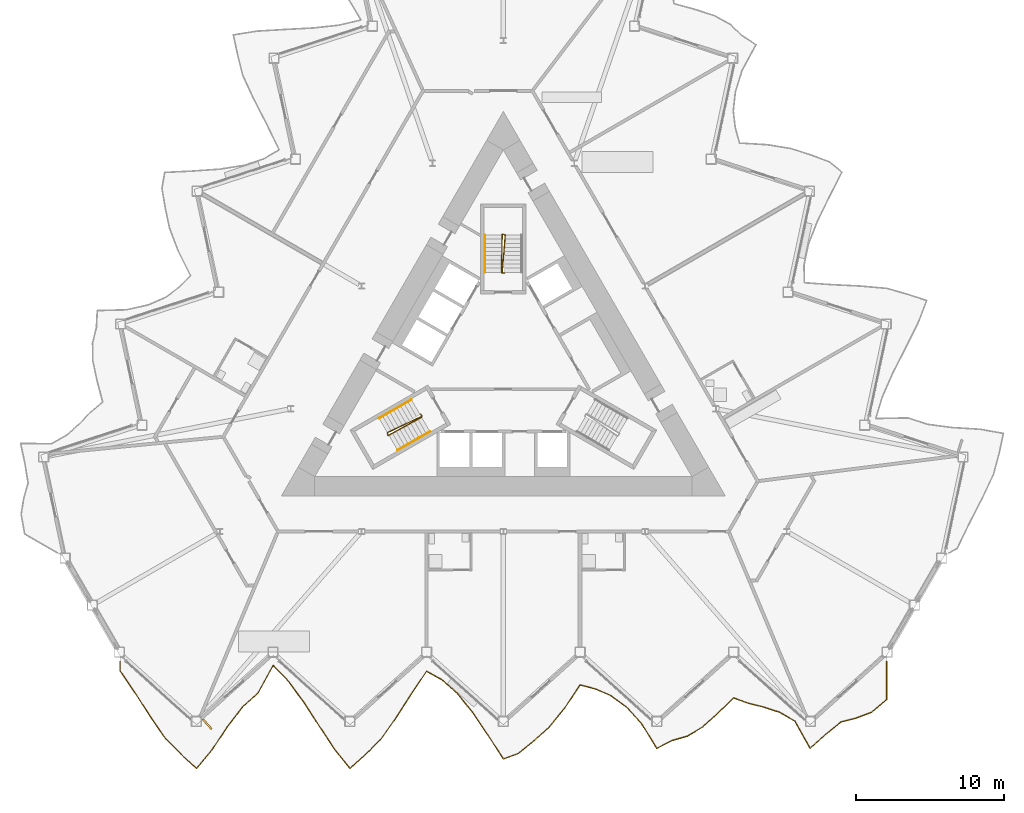
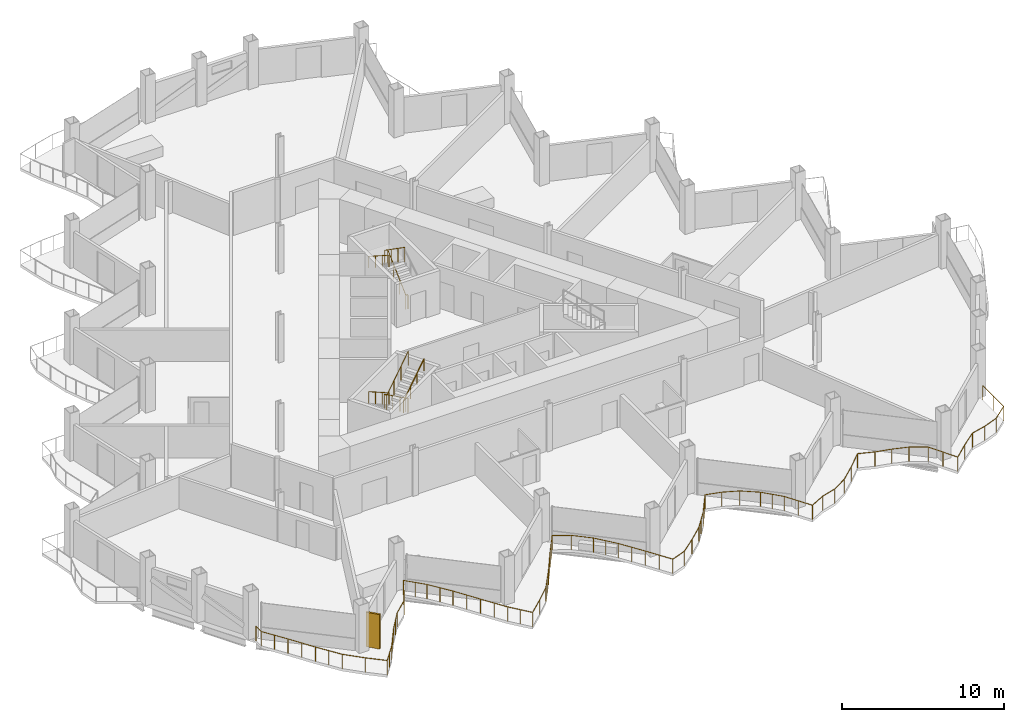
# One storey, part 19 of 23: 6 railings, 1 shading device.
"""IFC4 building model written with IfcOpenShell, lengths in metres."""

from ifc_helpers import new_model, si_unit, direction, frame, origin, origin_2d, place, context, subcontext, project, spatial, rectangle, circle, extrude, material, layer, layer_set, type_object, element, save


model = new_model("IFC4")

# Units and contexts
model_context = context("Model", 3, precision=1e-05, world=origin(), true_north=direction((0.0, 1.0)))
body_context = subcontext(model_context, "Body", "Model", "MODEL_VIEW")
ifc_project = project(units=[si_unit("LENGTHUNIT", "METRE"), si_unit("AREAUNIT", "SQUARE_METRE"), si_unit("VOLUMEUNIT", "CUBIC_METRE"), si_unit("PLANEANGLEUNIT", "RADIAN"), si_unit("MASSUNIT", "GRAM", prefix="KILO")], contexts=[model_context])

# Site, building, storey
site_placement = place(None, origin())
site = spatial("IfcSite", under=ifc_project, at=site_placement, CompositionType="ELEMENT")
building_placement = place(site_placement, origin())
building = spatial("IfcBuilding", under=site, at=building_placement, Name="Cormorant Prow Tower", CompositionType="ELEMENT")
storey_placement = place(building_placement, frame((0.0, 0.0, 263.39990234375)))
storey = spatial("IfcBuildingStorey", under=building, at=storey_placement, Name="L59", CompositionType="ELEMENT", Elevation=263.39990234375)

# Railings
ifc_material_1 = material(Name="Aluminium 6063-T6", Category="aluminium")
railing_type_1 = type_object("IfcRailingType", Name="Balcony guard 1100", PredefinedType="GUARDRAIL", material=ifc_material_1)
railing_1_placement = place(storey_placement, frame((-25.913330078125, -19.836181640625, 0.0)))
element("IfcRailing", 1, at=railing_1_placement, inside=storey, type_object=railing_type_1, Name="Balcony guard S", PredefinedType="GUARDRAIL", context=body_context, shape_type="SweptSolid", body=[
    extrude(circle(Radius=0.02392578125, at=origin_2d()), frame((0.0, 0.0, 1.076171875), z_axis=(0.0, -1.0, 0.0), x_axis=(1.0, 0.0, 0.0)), (0.0, 0.0, 1.0), 0.63623046875),
    extrude(circle(Radius=0.02392578125, at=origin_2d()), frame((0.0, -0.63623046875, 1.076171875), z_axis=(0.562686939233, -0.826670072288, 0.0), x_axis=(0.826670072288, 0.562686939233, 0.0)), (0.0, 0.0, 1.0), 1.84228515625),
    extrude(circle(Radius=0.02392578125, at=origin_2d()), frame((1.03662109375, -2.1591796875, 1.076171875), z_axis=(0.541531067199, -0.840680738008, 0.0), x_axis=(0.840680738008, 0.541531067199, 0.0)), (0.0, 0.0, 1.0), 1.913818359375),
    extrude(circle(Radius=0.02392578125, at=origin_2d()), frame((2.072998046875, -3.76806640625, 1.076171875), z_axis=(0.569154214885, -0.822230794655, 0.0), x_axis=(0.822230794655, 0.569154214885, 0.0)), (0.0, 0.0, 1.0), 1.8212890625),
    extrude(circle(Radius=0.02392578125, at=origin_2d()), frame((3.109619140625, -5.265625, 1.076171875), z_axis=(0.706773790057, -0.707439615578, 0.0), x_axis=(0.707439615578, 0.706773790057, 0.0)), (0.0, 0.0, 1.0), 1.466796875),
    extrude(circle(Radius=0.02392578125, at=origin_2d()), frame((4.146240234375, -6.30322265625, 1.076171875), z_axis=(0.743076506479, -0.669206474504, 0.0), x_axis=(0.669206474504, 0.743076506479, 0.0)), (0.0, 0.0, 1.0), 1.394775390625),
    extrude(circle(Radius=0.02392578125, at=origin_2d()), frame((5.1826171875, -7.236572265625, 1.076171875), z_axis=(0.642577870707, 0.766220386102, 0.0), x_axis=(-0.766220386102, 0.642577870707, 0.0)), (0.0, 0.0, 1.0), 1.61328125),
    extrude(circle(Radius=0.02392578125, at=origin_2d()), frame((6.21923828125, -6.00048828125, 1.076171875), z_axis=(0.552265995269, 0.833667961763, 0.0), x_axis=(-0.833667961763, 0.552265995269, 0.0)), (0.0, 0.0, 1.0), 1.876708984375),
    extrude(circle(Radius=0.02392578125, at=origin_2d()), frame((7.255615234375, -4.43603515625, 1.076171875), z_axis=(0.609211397349, 0.793007864614, 0.0), x_axis=(-0.793007864614, 0.609211397349, 0.0)), (0.0, 0.0, 1.0), 1.70166015625),
    extrude(circle(Radius=0.02392578125, at=origin_2d()), frame((8.292236328125, -3.086669921875, 1.076171875), z_axis=(0.743076506479, 0.669206474504, 0.0), x_axis=(-0.669206474504, 0.743076506479, 0.0)), (0.0, 0.0, 1.0), 1.394775390625),
    extrude(circle(Radius=0.02392578125, at=origin_2d()), frame((9.32861328125, -2.1533203125, 1.076171875), z_axis=(0.482302423528, 0.876004778674, 0.0), x_axis=(-0.876004778674, 0.482302423528, 0.0)), (0.0, 0.0, 1.0), 2.1494140625),
    extrude(circle(Radius=0.02392578125, at=origin_2d()), frame((10.365234375, -0.2705078125, 1.076171875), z_axis=(0.684911721524, -0.728626058908, 0.0), x_axis=(0.728626058908, 0.684911721524, 0.0)), (0.0, 0.0, 1.0), 1.513427734375),
    extrude(circle(Radius=0.02392578125, at=origin_2d()), frame((11.40185546875, -1.373291015625, 1.076171875), z_axis=(0.589814520171, -0.807538749408, 0.0), x_axis=(0.807538749408, 0.589814520171, 0.0)), (0.0, 0.0, 1.0), 1.757080078125),
    extrude(circle(Radius=0.02392578125, at=origin_2d()), frame((12.438232421875, -2.792236328125, 1.076171875), z_axis=(0.545475940819, -0.838126480901, 0.0), x_axis=(0.838126480901, 0.545475940819, 0.0)), (0.0, 0.0, 1.0), 1.900390625),
    extrude(circle(Radius=0.02392578125, at=origin_2d()), frame((13.474853515625, -4.385009765625, 1.076171875), z_axis=(0.550087543381, -0.83510699591, 0.0), x_axis=(0.83510699591, 0.550087543381, 0.0)), (0.0, 0.0, 1.0), 1.884521484375),
    extrude(circle(Radius=0.02392578125, at=origin_2d()), frame((14.511474609375, -5.958740234375, 1.076171875), z_axis=(0.629910840511, -0.776667453294, 0.0), x_axis=(0.776667453294, 0.629910840511, 0.0)), (0.0, 0.0, 1.0), 1.645263671875),
    extrude(circle(Radius=0.02392578125, at=origin_2d()), frame((15.5478515625, -7.236572265625, 1.076171875), z_axis=(0.743154883973, 0.669119435099, 0.0), x_axis=(-0.669119435099, 0.743154883973, 0.0)), (0.0, 0.0, 1.0), 1.394775390625),
    extrude(circle(Radius=0.02392578125, at=origin_2d()), frame((16.58447265625, -6.30322265625, 1.076171875), z_axis=(0.717928560111, 0.69611678803, 0.0), x_axis=(-0.69611678803, 0.717928560111, 0.0)), (0.0, 0.0, 1.0), 1.44384765625),
    extrude(circle(Radius=0.02392578125, at=origin_2d()), frame((17.62109375, -5.298095703125, 1.076171875), z_axis=(0.573253920579, 0.819377777671, 0.0), x_axis=(-0.819377777671, 0.573253920579, 0.0)), (0.0, 0.0, 1.0), 1.808349609375),
    extrude(circle(Radius=0.02392578125, at=origin_2d()), frame((18.65771484375, -3.81640625, 1.076171875), z_axis=(0.541879703733, 0.840456058746, 0.0), x_axis=(-0.840456058746, 0.541879703733, 0.0)), (0.0, 0.0, 1.0), 1.91259765625),
    extrude(circle(Radius=0.02392578125, at=origin_2d()), frame((19.694091796875, -2.208984375, 1.076171875), z_axis=(0.559434385603, 0.82887463962, 0.0), x_axis=(-0.82887463962, 0.559434385603, 0.0)), (0.0, 0.0, 1.0), 1.85302734375),
    extrude(circle(Radius=0.02392578125, at=origin_2d()), frame((20.730712890625, -0.673095703125, 1.076171875), z_axis=(0.873185490009, -0.487388038465, 0.0), x_axis=(0.487388038465, 0.873185490009, 0.0)), (0.0, 0.0, 1.0), 1.187255859375),
    extrude(circle(Radius=0.02392578125, at=origin_2d()), frame((21.767333984375, -1.251708984375, 1.076171875), z_axis=(0.744295916099, -0.667849975128, 0.0), x_axis=(0.667849975128, 0.744295916099, 0.0)), (0.0, 0.0, 1.0), 1.392333984375),
    extrude(circle(Radius=0.02392578125, at=origin_2d()), frame((22.8037109375, -2.181640625, 1.076171875), z_axis=(0.628550718295, -0.777768599605, 0.0), x_axis=(0.777768599605, 0.628550718295, 0.0)), (0.0, 0.0, 1.0), 1.649169921875),
    extrude(circle(Radius=0.02392578125, at=origin_2d()), frame((23.84033203125, -3.46435546875, 1.076171875), z_axis=(0.560016516668, -0.828481442797, 0.0), x_axis=(0.828481442797, 0.560016516668, 0.0)), (0.0, 0.0, 1.0), 1.8505859375),
    extrude(circle(Radius=0.02392578125, at=origin_2d()), frame((24.876708984375, -4.99755859375, 1.076171875), z_axis=(0.54191173054, -0.840435408763, 0.0), x_axis=(0.840435408763, 0.54191173054, 0.0)), (0.0, 0.0, 1.0), 1.912841796875),
    extrude(circle(Radius=0.02392578125, at=origin_2d()), frame((25.913330078125, -6.605224609375, 1.076171875), z_axis=(0.938580659023, 0.345059917272, 0.0), x_axis=(-0.345059917272, 0.938580659023, 0.0)), (0.0, 0.0, 1.0), 1.1044921875),
    extrude(circle(Radius=0.02392578125, at=origin_2d()), frame((26.949951171875, -6.22412109375, 1.076171875), z_axis=(0.771741279399, 0.635936630233, 0.0), x_axis=(-0.635936630233, 0.771741279399, 0.0)), (0.0, 0.0, 1.0), 1.343017578125),
    extrude(circle(Radius=0.02392578125, at=origin_2d()), frame((27.986328125, -5.3701171875, 1.076171875), z_axis=(0.743154883973, 0.669119435099, 0.0), x_axis=(-0.669119435099, 0.743154883973, 0.0)), (0.0, 0.0, 1.0), 1.394775390625),
    extrude(circle(Radius=0.02392578125, at=origin_2d()), frame((29.02294921875, -4.436767578125, 1.076171875), z_axis=(0.632750644133, 0.774355617497, 0.0), x_axis=(-0.774355617497, 0.632750644133, 0.0)), (0.0, 0.0, 1.0), 1.637939453125),
    extrude(circle(Radius=0.02392578125, at=origin_2d()), frame((30.059326171875, -3.16845703125, 1.076171875), z_axis=(0.550563985449, 0.834792967104, 0.0), x_axis=(-0.834792967104, 0.550563985449, 0.0)), (0.0, 0.0, 1.0), 1.8828125),
    extrude(circle(Radius=0.02392578125, at=origin_2d()), frame((31.095947265625, -1.5966796875, 1.076171875), z_axis=(0.967151206586, -0.254201777332, 0.0), x_axis=(0.254201777332, 0.967151206586, 0.0)), (0.0, 0.0, 1.0), 1.07177734375),
    extrude(circle(Radius=0.02392578125, at=origin_2d()), frame((32.132568359375, -1.869140625, 1.076171875), z_axis=(0.919402494626, -0.393318004768, 0.0), x_axis=(0.393318004768, 0.919402494626, 0.0)), (0.0, 0.0, 1.0), 1.127197265625),
    extrude(circle(Radius=0.02392578125, at=origin_2d()), frame((33.1689453125, -2.3125, 1.076171875), z_axis=(0.807377186251, -0.590035659194, 0.0), x_axis=(0.590035659194, 0.807377186251, 0.0)), (0.0, 0.0, 1.0), 1.283935546875),
    extrude(circle(Radius=0.02392578125, at=origin_2d()), frame((34.20556640625, -3.070068359375, 1.076171875), z_axis=(0.678107623012, -0.734962619195, 0.0), x_axis=(0.734962619195, 0.678107623012, 0.0)), (0.0, 0.0, 1.0), 1.52880859375),
    extrude(circle(Radius=0.02392578125, at=origin_2d()), frame((35.2421875, -4.193603515625, 1.076171875), z_axis=(0.522161161507, -0.852846833502, 0.0), x_axis=(0.852846833502, 0.522161161507, 0.0)), (0.0, 0.0, 1.0), 1.9853515625),
    extrude(circle(Radius=0.02392578125, at=origin_2d()), frame((36.27880859375, -5.88671875, 1.076171875), z_axis=(0.890661309048, 0.454667386739, 0.0), x_axis=(-0.454667386739, 0.890661309048, 0.0)), (0.0, 0.0, 1.0), 1.16357421875),
    extrude(circle(Radius=0.02392578125, at=origin_2d()), frame((37.315185546875, -5.357666015625, 1.076171875), z_axis=(0.96057062461, 0.278036104015, 0.0), x_axis=(-0.278036104015, 0.96057062461, 0.0)), (0.0, 0.0, 1.0), 1.0791015625),
    extrude(circle(Radius=0.02392578125, at=origin_2d()), frame((38.351806640625, -5.0576171875, 1.076171875), z_axis=(0.857902695264, 0.513812188897, 0.0), x_axis=(-0.513812188897, 0.857902695264, 0.0)), (0.0, 0.0, 1.0), 1.208251953125),
    extrude(circle(Radius=0.02392578125, at=origin_2d()), frame((39.388427734375, -4.436767578125, 1.076171875), z_axis=(0.743076506479, 0.669206474504, 0.0), x_axis=(-0.669206474504, 0.743076506479, 0.0)), (0.0, 0.0, 1.0), 1.394775390625),
    extrude(circle(Radius=0.02392578125, at=origin_2d()), frame((40.4248046875, -3.50341796875, 1.076171875), z_axis=(0.709275037623, 0.704931855575, 0.0), x_axis=(-0.704931855575, 0.709275037623, 0.0)), (0.0, 0.0, 1.0), 1.46142578125),
    extrude(circle(Radius=0.02392578125, at=origin_2d()), frame((41.46142578125, -2.47314453125, 1.076171875), z_axis=(0.940997544156, -0.338413389055, 0.0), x_axis=(0.338413389055, 0.940997544156, 0.0)), (0.0, 0.0, 1.0), 1.1015625),
    extrude(circle(Radius=0.02392578125, at=origin_2d()), frame((42.498046875, -2.845947265625, 1.076171875), z_axis=(0.970424235794, -0.241405887632, 0.0), x_axis=(0.241405887632, 0.970424235794, 0.0)), (0.0, 0.0, 1.0), 1.06787109375),
    extrude(circle(Radius=0.02392578125, at=origin_2d()), frame((43.534423828125, -3.103759765625, 1.076171875), z_axis=(0.950039332084, -0.312130209198, 0.0), x_axis=(0.312130209198, 0.950039332084, 0.0)), (0.0, 0.0, 1.0), 1.091064453125),
    extrude(circle(Radius=0.02392578125, at=origin_2d()), frame((44.571044921875, -3.4443359375, 1.076171875), z_axis=(0.866542200502, -0.499103811596, 0.0), x_axis=(0.499103811596, 0.866542200502, 0.0)), (0.0, 0.0, 1.0), 1.196044921875),
    extrude(circle(Radius=0.02392578125, at=origin_2d()), frame((45.607421875, -4.041259765625, 1.076171875), z_axis=(0.489740916675, -0.8718680144, 0.0), x_axis=(0.8718680144, 0.489740916675, 0.0)), (0.0, 0.0, 1.0), 2.11669921875),
    extrude(circle(Radius=0.02392578125, at=origin_2d()), frame((46.64404296875, -5.88671875, 1.076171875), z_axis=(0.743076506479, 0.669206474504, 0.0), x_axis=(-0.669206474504, 0.743076506479, 0.0)), (0.0, 0.0, 1.0), 1.394775390625),
    extrude(circle(Radius=0.02392578125, at=origin_2d()), frame((47.680419921875, -4.953369140625, 1.076171875), z_axis=(0.773153498157, 0.634218943495, 0.0), x_axis=(-0.634218943495, 0.773153498157, 0.0)), (0.0, 0.0, 1.0), 1.3408203125),
    extrude(circle(Radius=0.02392578125, at=origin_2d()), frame((48.717041015625, -4.10302734375, 1.076171875), z_axis=(0.96984618493, 0.243717823674, 0.0), x_axis=(-0.243717823674, 0.96984618493, 0.0)), (0.0, 0.0, 1.0), 1.06884765625),
    extrude(circle(Radius=0.02392578125, at=origin_2d()), frame((49.753662109375, -3.842529296875, 1.076171875), z_axis=(0.934790892497, 0.355198518162, 0.0), x_axis=(-0.355198518162, 0.934790892497, 0.0)), (0.0, 0.0, 1.0), 1.108642578125),
    extrude(circle(Radius=0.02392578125, at=origin_2d()), frame((50.7900390625, -3.44873046875, 1.076171875), z_axis=(0.76283401847, 0.646594355269, 0.0), x_axis=(-0.646594355269, 0.76283401847, 0.0)), (0.0, 0.0, 1.0), 1.35888671875),
    extrude(circle(Radius=0.02392578125, at=origin_2d()), frame((51.82666015625, -2.570068359375, 1.076171875), z_axis=(0.0, 1.0, 0.0), x_axis=(-1.0, 0.0, 0.0)), (0.0, 0.0, 1.0), 2.570068359375),
    extrude(circle(Radius=0.02099609375, at=origin_2d()), origin(), (0.0, 0.0, 1.0), 1.052001953125),
    extrude(circle(Radius=0.02099609375, at=origin_2d()), frame((0.0, -0.63623046875, 0.0)), (0.0, 0.0, 1.0), 1.052001953125),
    extrude(circle(Radius=0.02099609375, at=origin_2d()), frame((0.518310546875, -1.397705078125, 0.0)), (0.0, 0.0, 1.0), 1.052001953125),
    extrude(circle(Radius=0.02099609375, at=origin_2d()), frame((1.03662109375, -2.1591796875, 0.0)), (0.0, 0.0, 1.0), 1.052001953125),
    extrude(circle(Radius=0.02099609375, at=origin_2d()), frame((1.5546875, -2.963623046875, 0.0)), (0.0, 0.0, 1.0), 1.052001953125),
    extrude(circle(Radius=0.02099609375, at=origin_2d()), frame((2.072998046875, -3.76806640625, 0.0)), (0.0, 0.0, 1.0), 1.052001953125),
    extrude(circle(Radius=0.02099609375, at=origin_2d()), frame((2.59130859375, -4.516845703125, 0.0)), (0.0, 0.0, 1.0), 1.052001953125),
    extrude(circle(Radius=0.02099609375, at=origin_2d()), frame((3.109619140625, -5.265625, 0.0)), (0.0, 0.0, 1.0), 1.052001953125),
    extrude(circle(Radius=0.02099609375, at=origin_2d()), frame((4.146240234375, -6.30322265625, 0.0)), (0.0, 0.0, 1.0), 1.052001953125),
    extrude(circle(Radius=0.02099609375, at=origin_2d()), frame((5.1826171875, -7.236572265625, 0.0)), (0.0, 0.0, 1.0), 1.052001953125),
    extrude(circle(Radius=0.02099609375, at=origin_2d()), frame((5.700927734375, -6.61865234375, 0.0)), (0.0, 0.0, 1.0), 1.052001953125),
    extrude(circle(Radius=0.02099609375, at=origin_2d()), frame((6.21923828125, -6.00048828125, 0.0)), (0.0, 0.0, 1.0), 1.052001953125),
    extrude(circle(Radius=0.02099609375, at=origin_2d()), frame((6.7373046875, -5.21826171875, 0.0)), (0.0, 0.0, 1.0), 1.052001953125),
    extrude(circle(Radius=0.02099609375, at=origin_2d()), frame((7.255615234375, -4.43603515625, 0.0)), (0.0, 0.0, 1.0), 1.052001953125),
    extrude(circle(Radius=0.02099609375, at=origin_2d()), frame((7.77392578125, -3.76123046875, 0.0)), (0.0, 0.0, 1.0), 1.052001953125),
    extrude(circle(Radius=0.02099609375, at=origin_2d()), frame((8.292236328125, -3.086669921875, 0.0)), (0.0, 0.0, 1.0), 1.052001953125),
    extrude(circle(Radius=0.02099609375, at=origin_2d()), frame((9.32861328125, -2.1533203125, 0.0)), (0.0, 0.0, 1.0), 1.052001953125),
    extrude(circle(Radius=0.02099609375, at=origin_2d()), frame((9.846923828125, -1.2119140625, 0.0)), (0.0, 0.0, 1.0), 1.052001953125),
    extrude(circle(Radius=0.02099609375, at=origin_2d()), frame((10.365234375, -0.2705078125, 0.0)), (0.0, 0.0, 1.0), 1.052001953125),
    extrude(circle(Radius=0.02099609375, at=origin_2d()), frame((10.883544921875, -0.82177734375, 0.0)), (0.0, 0.0, 1.0), 1.052001953125),
    extrude(circle(Radius=0.02099609375, at=origin_2d()), frame((11.40185546875, -1.373291015625, 0.0)), (0.0, 0.0, 1.0), 1.052001953125),
    extrude(circle(Radius=0.02099609375, at=origin_2d()), frame((11.919921875, -2.082763671875, 0.0)), (0.0, 0.0, 1.0), 1.052001953125),
    extrude(circle(Radius=0.02099609375, at=origin_2d()), frame((12.438232421875, -2.792236328125, 0.0)), (0.0, 0.0, 1.0), 1.052001953125),
    extrude(circle(Radius=0.02099609375, at=origin_2d()), frame((12.95654296875, -3.588623046875, 0.0)), (0.0, 0.0, 1.0), 1.052001953125),
    extrude(circle(Radius=0.02099609375, at=origin_2d()), frame((13.474853515625, -4.385009765625, 0.0)), (0.0, 0.0, 1.0), 1.052001953125),
    extrude(circle(Radius=0.02099609375, at=origin_2d()), frame((13.9931640625, -5.171875, 0.0)), (0.0, 0.0, 1.0), 1.052001953125),
    extrude(circle(Radius=0.02099609375, at=origin_2d()), frame((14.511474609375, -5.958740234375, 0.0)), (0.0, 0.0, 1.0), 1.052001953125),
    extrude(circle(Radius=0.02099609375, at=origin_2d()), frame((15.02978515625, -6.59765625, 0.0)), (0.0, 0.0, 1.0), 1.052001953125),
    extrude(circle(Radius=0.02099609375, at=origin_2d()), frame((15.5478515625, -7.236572265625, 0.0)), (0.0, 0.0, 1.0), 1.052001953125),
    extrude(circle(Radius=0.02099609375, at=origin_2d()), frame((16.58447265625, -6.30322265625, 0.0)), (0.0, 0.0, 1.0), 1.052001953125),
    extrude(circle(Radius=0.02099609375, at=origin_2d()), frame((17.62109375, -5.298095703125, 0.0)), (0.0, 0.0, 1.0), 1.052001953125),
    extrude(circle(Radius=0.02099609375, at=origin_2d()), frame((18.139404296875, -4.55712890625, 0.0)), (0.0, 0.0, 1.0), 1.052001953125),
    extrude(circle(Radius=0.02099609375, at=origin_2d()), frame((18.65771484375, -3.81640625, 0.0)), (0.0, 0.0, 1.0), 1.052001953125),
    extrude(circle(Radius=0.02099609375, at=origin_2d()), frame((19.17578125, -3.0126953125, 0.0)), (0.0, 0.0, 1.0), 1.052001953125),
    extrude(circle(Radius=0.02099609375, at=origin_2d()), frame((19.694091796875, -2.208984375, 0.0)), (0.0, 0.0, 1.0), 1.052001953125),
    extrude(circle(Radius=0.02099609375, at=origin_2d()), frame((20.21240234375, -1.44091796875, 0.0)), (0.0, 0.0, 1.0), 1.052001953125),
    extrude(circle(Radius=0.02099609375, at=origin_2d()), frame((20.730712890625, -0.673095703125, 0.0)), (0.0, 0.0, 1.0), 1.052001953125),
    extrude(circle(Radius=0.02099609375, at=origin_2d()), frame((21.767333984375, -1.251708984375, 0.0)), (0.0, 0.0, 1.0), 1.052001953125),
    extrude(circle(Radius=0.02099609375, at=origin_2d()), frame((22.8037109375, -2.181640625, 0.0)), (0.0, 0.0, 1.0), 1.052001953125),
    extrude(circle(Radius=0.02099609375, at=origin_2d()), frame((23.322021484375, -2.822998046875, 0.0)), (0.0, 0.0, 1.0), 1.052001953125),
    extrude(circle(Radius=0.02099609375, at=origin_2d()), frame((23.84033203125, -3.46435546875, 0.0)), (0.0, 0.0, 1.0), 1.052001953125),
    extrude(circle(Radius=0.02099609375, at=origin_2d()), frame((24.3583984375, -4.23095703125, 0.0)), (0.0, 0.0, 1.0), 1.052001953125),
    extrude(circle(Radius=0.02099609375, at=origin_2d()), frame((24.876708984375, -4.99755859375, 0.0)), (0.0, 0.0, 1.0), 1.052001953125),
    extrude(circle(Radius=0.02099609375, at=origin_2d()), frame((25.39501953125, -5.80126953125, 0.0)), (0.0, 0.0, 1.0), 1.052001953125),
    extrude(circle(Radius=0.02099609375, at=origin_2d()), frame((25.913330078125, -6.605224609375, 0.0)), (0.0, 0.0, 1.0), 1.052001953125),
    extrude(circle(Radius=0.02099609375, at=origin_2d()), frame((26.949951171875, -6.22412109375, 0.0)), (0.0, 0.0, 1.0), 1.052001953125),
    extrude(circle(Radius=0.02099609375, at=origin_2d()), frame((27.986328125, -5.3701171875, 0.0)), (0.0, 0.0, 1.0), 1.052001953125),
    extrude(circle(Radius=0.02099609375, at=origin_2d()), frame((29.02294921875, -4.436767578125, 0.0)), (0.0, 0.0, 1.0), 1.052001953125),
    extrude(circle(Radius=0.02099609375, at=origin_2d()), frame((29.541015625, -3.802734375, 0.0)), (0.0, 0.0, 1.0), 1.052001953125),
    extrude(circle(Radius=0.02099609375, at=origin_2d()), frame((30.059326171875, -3.16845703125, 0.0)), (0.0, 0.0, 1.0), 1.052001953125),
    extrude(circle(Radius=0.02099609375, at=origin_2d()), frame((30.57763671875, -2.382568359375, 0.0)), (0.0, 0.0, 1.0), 1.052001953125),
    extrude(circle(Radius=0.02099609375, at=origin_2d()), frame((31.095947265625, -1.5966796875, 0.0)), (0.0, 0.0, 1.0), 1.052001953125),
    extrude(circle(Radius=0.02099609375, at=origin_2d()), frame((32.132568359375, -1.869140625, 0.0)), (0.0, 0.0, 1.0), 1.052001953125),
    extrude(circle(Radius=0.02099609375, at=origin_2d()), frame((33.1689453125, -2.3125, 0.0)), (0.0, 0.0, 1.0), 1.052001953125),
    extrude(circle(Radius=0.02099609375, at=origin_2d()), frame((34.20556640625, -3.070068359375, 0.0)), (0.0, 0.0, 1.0), 1.052001953125),
    extrude(circle(Radius=0.02099609375, at=origin_2d()), frame((34.723876953125, -3.6318359375, 0.0)), (0.0, 0.0, 1.0), 1.052001953125),
    extrude(circle(Radius=0.02099609375, at=origin_2d()), frame((35.2421875, -4.193603515625, 0.0)), (0.0, 0.0, 1.0), 1.052001953125),
    extrude(circle(Radius=0.02099609375, at=origin_2d()), frame((35.760498046875, -5.0400390625, 0.0)), (0.0, 0.0, 1.0), 1.052001953125),
    extrude(circle(Radius=0.02099609375, at=origin_2d()), frame((36.27880859375, -5.88671875, 0.0)), (0.0, 0.0, 1.0), 1.052001953125),
    extrude(circle(Radius=0.02099609375, at=origin_2d()), frame((37.315185546875, -5.357666015625, 0.0)), (0.0, 0.0, 1.0), 1.052001953125),
    extrude(circle(Radius=0.02099609375, at=origin_2d()), frame((38.351806640625, -5.0576171875, 0.0)), (0.0, 0.0, 1.0), 1.052001953125),
    extrude(circle(Radius=0.02099609375, at=origin_2d()), frame((39.388427734375, -4.436767578125, 0.0)), (0.0, 0.0, 1.0), 1.052001953125),
    extrude(circle(Radius=0.02099609375, at=origin_2d()), frame((40.4248046875, -3.50341796875, 0.0)), (0.0, 0.0, 1.0), 1.052001953125),
    extrude(circle(Radius=0.02099609375, at=origin_2d()), frame((41.46142578125, -2.47314453125, 0.0)), (0.0, 0.0, 1.0), 1.052001953125),
    extrude(circle(Radius=0.02099609375, at=origin_2d()), frame((42.498046875, -2.845947265625, 0.0)), (0.0, 0.0, 1.0), 1.052001953125),
    extrude(circle(Radius=0.02099609375, at=origin_2d()), frame((43.534423828125, -3.103759765625, 0.0)), (0.0, 0.0, 1.0), 1.052001953125),
    extrude(circle(Radius=0.02099609375, at=origin_2d()), frame((44.571044921875, -3.4443359375, 0.0)), (0.0, 0.0, 1.0), 1.052001953125),
    extrude(circle(Radius=0.02099609375, at=origin_2d()), frame((45.607421875, -4.041259765625, 0.0)), (0.0, 0.0, 1.0), 1.052001953125),
    extrude(circle(Radius=0.02099609375, at=origin_2d()), frame((46.125732421875, -4.9638671875, 0.0)), (0.0, 0.0, 1.0), 1.052001953125),
    extrude(circle(Radius=0.02099609375, at=origin_2d()), frame((46.64404296875, -5.88671875, 0.0)), (0.0, 0.0, 1.0), 1.052001953125),
    extrude(circle(Radius=0.02099609375, at=origin_2d()), frame((47.680419921875, -4.953369140625, 0.0)), (0.0, 0.0, 1.0), 1.052001953125),
    extrude(circle(Radius=0.02099609375, at=origin_2d()), frame((48.717041015625, -4.10302734375, 0.0)), (0.0, 0.0, 1.0), 1.052001953125),
    extrude(circle(Radius=0.02099609375, at=origin_2d()), frame((49.753662109375, -3.842529296875, 0.0)), (0.0, 0.0, 1.0), 1.052001953125),
    extrude(circle(Radius=0.02099609375, at=origin_2d()), frame((50.7900390625, -3.44873046875, 0.0)), (0.0, 0.0, 1.0), 1.052001953125),
    extrude(circle(Radius=0.02099609375, at=origin_2d()), frame((51.82666015625, -2.570068359375, 0.0)), (0.0, 0.0, 1.0), 1.052001953125),
    extrude(circle(Radius=0.02099609375, at=origin_2d()), frame((51.82666015625, -1.28515625, 0.0)), (0.0, 0.0, 1.0), 1.052001953125),
    extrude(circle(Radius=0.02099609375, at=origin_2d()), frame((51.82666015625, 0.0, 0.0)), (0.0, 0.0, 1.0), 1.052001953125),
])
ifc_material_2 = material(Name="Stainless steel", Category="steel")
railing_type_2 = type_object("IfcRailingType", Name="Stair guard 1100", PredefinedType="GUARDRAIL", material=ifc_material_2)
railing_2_placement = place(storey_placement, frame((-5.585205078125, -3.137939453125, 0.0)))
element("IfcRailing", 2, at=railing_2_placement, inside=storey, type_object=railing_type_2, Name="L59 ST1 stair guard 1", PredefinedType="GUARDRAIL", context=body_context, shape_type="SweptSolid", body=[
    extrude(circle(Radius=0.02392578125, at=origin_2d()), frame((0.0, 0.0, 1.076171875), z_axis=(0.501036270542, -0.865426285481, 0.0), x_axis=(0.865426285481, 0.501036270542, 0.0)), (0.0, 0.0, 1.0), 0.150146484375),
    extrude(circle(Radius=0.02392578125, at=origin_2d()), frame((0.0751953125, -0.1298828125, 1.076171875), z_axis=(-0.739707038506, -0.353624380995, 0.572523619033), x_axis=(0.431308035802, -0.902204731895, 0.0)), (0.0, 0.0, 1.0), 3.14404296875),
    extrude(circle(Radius=0.02392578125, at=origin_2d()), frame((-2.25048828125, -1.24169921875, 2.8759765625), z_axis=(0.274721127897, -0.961523947641, 0.0), x_axis=(0.961523947641, 0.274721127897, 0.0)), (0.0, 0.0, 1.0), 0.2060546875),
    extrude(circle(Radius=0.02392578125, at=origin_2d()), frame((-2.19384765625, -1.43994140625, 2.8759765625), z_axis=(0.717223475266, 0.39568267656, 0.573607623727), x_axis=(-0.483052234887, 0.87559153626, 0.0)), (0.0, 0.0, 1.0), 3.13818359375),
    extrude(circle(Radius=0.02099609375, at=origin_2d()), origin(), (0.0, 0.0, 1.0), 1.052001953125),
    extrude(circle(Radius=0.02099609375, at=origin_2d()), frame((0.0751953125, -0.1298828125, 0.0)), (0.0, 0.0, 1.0), 1.052001953125),
    extrude(circle(Radius=0.02099609375, at=origin_2d()), frame((-0.699951171875, -0.50048828125, 0.60009765625)), (0.0, 0.0, 1.0), 1.052001953125),
    extrude(circle(Radius=0.02099609375, at=origin_2d()), frame((-1.475341796875, -0.87109375, 1.199951171875)), (0.0, 0.0, 1.0), 1.052001953125),
    extrude(circle(Radius=0.02099609375, at=origin_2d()), frame((-2.25048828125, -1.24169921875, 1.800048828125)), (0.0, 0.0, 1.0), 1.052001953125),
    extrude(circle(Radius=0.02099609375, at=origin_2d()), frame((-2.19384765625, -1.43994140625, 1.800048828125)), (0.0, 0.0, 1.0), 1.052001953125),
    extrude(circle(Radius=0.02099609375, at=origin_2d()), frame((-1.443603515625, -1.026123046875, 2.400146484375)), (0.0, 0.0, 1.0), 1.052001953125),
    extrude(circle(Radius=0.02099609375, at=origin_2d()), frame((-0.693359375, -0.612060546875, 3.0)), (0.0, 0.0, 1.0), 1.052001953125),
    extrude(circle(Radius=0.02099609375, at=origin_2d()), frame((0.056884765625, -0.1982421875, 3.60009765625)), (0.0, 0.0, 1.0), 1.052001953125),
])
railing_3_placement = place(storey_placement, frame((0.074951171875, 6.40576171875, 0.0)))
element("IfcRailing", 3, at=railing_3_placement, inside=storey, type_object=railing_type_2, Name="L59 ST3 stair guard 1", PredefinedType="GUARDRAIL", context=body_context, shape_type="SweptSolid", body=[
    extrude(circle(Radius=0.02392578125, at=origin_2d()), frame((0.0, 0.0, 1.076171875), z_axis=(-1.0, 0.0, 0.0), x_axis=(0.0, -1.0, 0.0)), (0.0, 0.0, 1.0), 0.14990234375),
    extrude(circle(Radius=0.02392578125, at=origin_2d()), frame((-0.14990234375, 0.0, 1.076171875), z_axis=(0.063595540489, 0.817423998443, 0.572515164864), x_axis=(-0.996987254287, 0.077565551559, 0.0)), (0.0, 0.0, 1.0), 3.14404296875),
    extrude(circle(Radius=0.02392578125, at=origin_2d()), frame((0.050048828125, 2.570068359375, 2.8759765625), z_axis=(-0.970072785993, 0.242814311512, 0.0), x_axis=(-0.242814311512, -0.970072785993, 0.0)), (0.0, 0.0, 1.0), 0.2060546875),
    extrude(circle(Radius=0.02392578125, at=origin_2d()), frame((-0.14990234375, 2.6201171875, 2.8759765625), z_axis=(-0.01594855688, -0.818977845239, 0.573603462805), x_axis=(0.999810440751, -0.019470042781, 0.0)), (0.0, 0.0, 1.0), 3.13818359375),
    extrude(circle(Radius=0.02099609375, at=origin_2d()), origin(), (0.0, 0.0, 1.0), 1.052001953125),
    extrude(circle(Radius=0.02099609375, at=origin_2d()), frame((-0.14990234375, 0.0, 0.0)), (0.0, 0.0, 1.0), 1.052001953125),
    extrude(circle(Radius=0.02099609375, at=origin_2d()), frame((-0.083251953125, 0.856689453125, 0.60009765625)), (0.0, 0.0, 1.0), 1.052001953125),
    extrude(circle(Radius=0.02099609375, at=origin_2d()), frame((-0.0166015625, 1.71337890625, 1.199951171875)), (0.0, 0.0, 1.0), 1.052001953125),
    extrude(circle(Radius=0.02099609375, at=origin_2d()), frame((0.050048828125, 2.570068359375, 1.800048828125)), (0.0, 0.0, 1.0), 1.052001953125),
    extrude(circle(Radius=0.02099609375, at=origin_2d()), frame((-0.14990234375, 2.6201171875, 1.800048828125)), (0.0, 0.0, 1.0), 1.052001953125),
    extrude(circle(Radius=0.02099609375, at=origin_2d()), frame((-0.16650390625, 1.763427734375, 2.400146484375)), (0.0, 0.0, 1.0), 1.052001953125),
    extrude(circle(Radius=0.02099609375, at=origin_2d()), frame((-0.183349609375, 0.90673828125, 3.0)), (0.0, 0.0, 1.0), 1.052001953125),
    extrude(circle(Radius=0.02099609375, at=origin_2d()), frame((-0.199951171875, 0.050048828125, 3.60009765625)), (0.0, 0.0, 1.0), 1.052001953125),
])
ifc_material_3 = material(Name="Stainless steel", Category="steel")
railing_type_3 = type_object("IfcRailingType", Name="Stair handrail 900", PredefinedType="HANDRAIL", material=ifc_material_3)
railing_4_placement = place(storey_placement, frame((-6.212890625, -2.150634765625, 0.18017578125)))
element("IfcRailing", 4, at=railing_4_placement, inside=storey, type_object=railing_type_3, Name="L59 ST1 stair handrail 1", PredefinedType="HANDRAIL", context=body_context, shape_type="SweptSolid", body=[
    extrude(circle(Radius=0.02392578125, at=origin_2d()), frame((0.0, 0.0, 0.8759765625), z_axis=(-0.72849590497, -0.42060268101, 0.54072830624), x_axis=(0.500004791531, -0.866022637375, 0.0)), (0.0, 0.0, 1.0), 2.99560546875),
    extrude(circle(Radius=0.02099609375, at=origin_2d()), origin(), (0.0, 0.0, 1.0), 0.851806640625),
    extrude(circle(Radius=0.02099609375, at=origin_2d()), frame((-0.7275390625, -0.419921875, 0.5400390625)), (0.0, 0.0, 1.0), 0.851806640625),
    extrude(circle(Radius=0.02099609375, at=origin_2d()), frame((-1.454833984375, -0.840087890625, 1.079833984375)), (0.0, 0.0, 1.0), 0.851806640625),
    extrude(circle(Radius=0.02099609375, at=origin_2d()), frame((-2.182373046875, -1.260009765625, 1.619873046875)), (0.0, 0.0, 1.0), 0.851806640625),
])
railing_5_placement = place(storey_placement, frame((-7.1513671875, -5.565185546875, 1.97998046875)))
element("IfcRailing", 5, at=railing_5_placement, inside=storey, type_object=railing_type_3, Name="L59 ST1 stair handrail 2", PredefinedType="HANDRAIL", context=body_context, shape_type="SweptSolid", body=[
    extrude(circle(Radius=0.02392578125, at=origin_2d()), frame((0.0, 0.0, 0.8759765625), z_axis=(0.728463801763, 0.420584145978, 0.540785970299), x_axis=(-0.500004791531, 0.866022637375, 0.0)), (0.0, 0.0, 1.0), 2.995849609375),
    extrude(circle(Radius=0.02099609375, at=origin_2d()), origin(), (0.0, 0.0, 1.0), 0.851806640625),
    extrude(circle(Radius=0.02099609375, at=origin_2d()), frame((0.7275390625, 0.419921875, 0.5400390625)), (0.0, 0.0, 1.0), 0.851806640625),
    extrude(circle(Radius=0.02099609375, at=origin_2d()), frame((1.454833984375, 0.840087890625, 1.080078125)), (0.0, 0.0, 1.0), 0.851806640625),
    extrude(circle(Radius=0.02099609375, at=origin_2d()), frame((2.182373046875, 1.260009765625, 1.6201171875)), (0.0, 0.0, 1.0), 0.851806640625),
])
railing_6_placement = place(storey_placement, frame((-1.243896484375, 8.975830078125, 1.97998046875)))
element("IfcRailing", 6, at=railing_6_placement, inside=storey, type_object=railing_type_3, Name="L59 ST3 stair handrail 2", PredefinedType="HANDRAIL", context=body_context, shape_type="SweptSolid", body=[
    extrude(circle(Radius=0.02392578125, at=origin_2d()), frame((0.0, 0.0, 0.8759765625), z_axis=(0.0, -0.841162588446, 0.540782303519), x_axis=(1.0, 0.0, 0.0)), (0.0, 0.0, 1.0), 2.995849609375),
    extrude(circle(Radius=0.02099609375, at=origin_2d()), origin(), (0.0, 0.0, 1.0), 0.851806640625),
    extrude(circle(Radius=0.02099609375, at=origin_2d()), frame((0.0, -0.840087890625, 0.5400390625)), (0.0, 0.0, 1.0), 0.851806640625),
    extrude(circle(Radius=0.02099609375, at=origin_2d()), frame((0.0, -1.679931640625, 1.080078125)), (0.0, 0.0, 1.0), 0.851806640625),
    extrude(circle(Radius=0.02099609375, at=origin_2d()), frame((0.0, -2.52001953125, 1.6201171875)), (0.0, 0.0, 1.0), 0.851806640625),
])

# Shading device
ifc_material_4 = material(Name="Terracotta", Category="masonry")
ifc_layer = layer(ifc_material_4, 0.1201171875)
ifc_layer_set = layer_set([ifc_layer], Name="Terracotta")
shading_device_type = type_object("IfcShadingDeviceType", Name="Terracotta baguette fin 120x900x2600", PredefinedType="USERDEFINED", material=ifc_layer_set)
shading_device_placement = place(storey_placement, frame((-20.0126953125, -24.081787109375, 0.0), z_axis=(0.0, 0.0, 1.0), x_axis=(0.743144856192, 0.669130572247, 0.0)))
element("IfcShadingDevice", 7, at=shading_device_placement, inside=storey, type_object=shading_device_type, Name="Baguette fin S01", ObjectType="BAGUETTE", PredefinedType="USERDEFINED", context=body_context, shape_type="SweptSolid", body=[
    extrude(rectangle(XDim=0.1201171875, YDim=0.89990234375, at=origin_2d()), origin(), (0.0, 0.0, 1.0), 2.60009765625),
])

save(model, "model.ifc")
